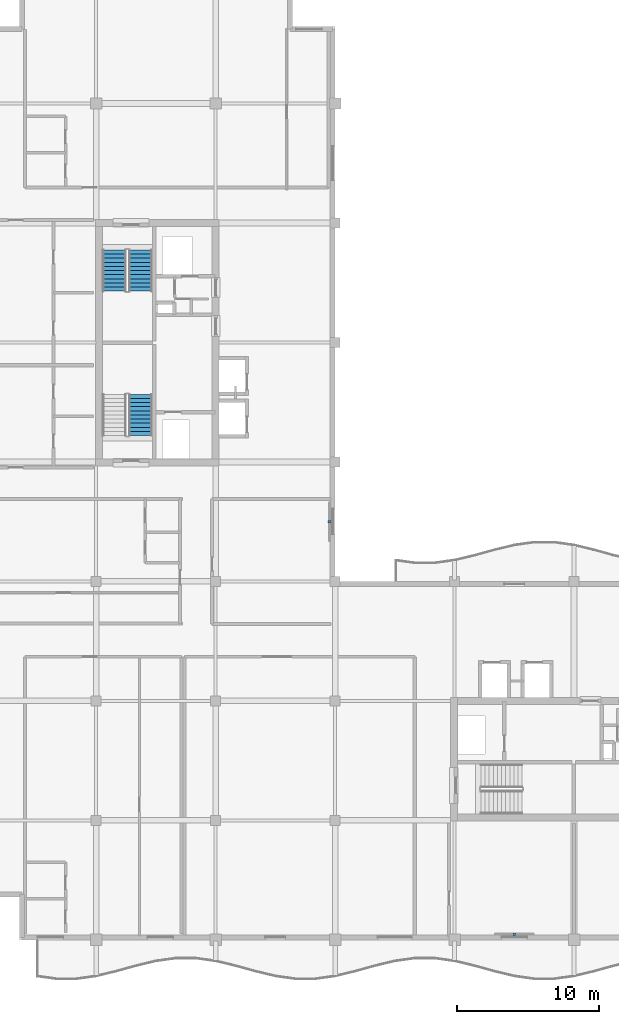
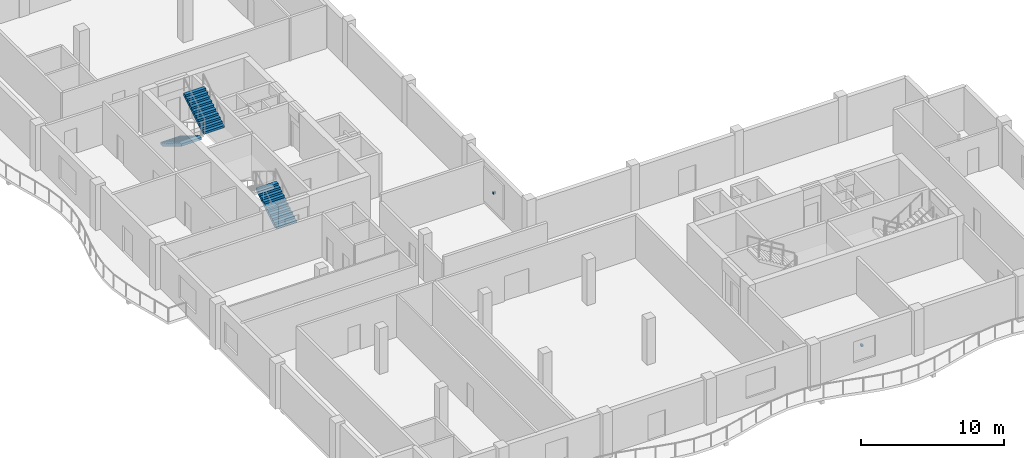
# One storey, part 8 of 11: 3 stair flights, 2 discrete accessories, 2 elements without a shape of their own.
"""IFC4 building model written with IfcOpenShell, lengths in metres."""

from ifc_helpers import new_model, si_unit, direction, frame, origin, origin_2d, place, context, subcontext, project, spatial, polyline, rectangle, outline, extrude, material, type_object, element, aggregate, save


model = new_model("IFC4")

# Units and contexts
model_context = context("Model", 3, precision=1e-05, world=origin(), true_north=direction((0.0, 1.0)))
body_context = subcontext(model_context, "Body", "Model", "MODEL_VIEW")
ifc_project = project(units=[si_unit("LENGTHUNIT", "METRE"), si_unit("AREAUNIT", "SQUARE_METRE"), si_unit("VOLUMEUNIT", "CUBIC_METRE"), si_unit("PLANEANGLEUNIT", "RADIAN"), si_unit("MASSUNIT", "GRAM", prefix="KILO")], contexts=[model_context])

# Site, building, storey
site_placement = place(None, origin())
site = spatial("IfcSite", under=ifc_project, at=site_placement, CompositionType="ELEMENT")
building_placement = place(site_placement, origin())
building = spatial("IfcBuilding", under=site, at=building_placement, Name="Koriwani Terraces Tower", CompositionType="ELEMENT")
storey_placement = place(building_placement, frame((0.0, 0.0, 335.89990234375)))
storey = spatial("IfcBuildingStorey", under=building, at=storey_placement, Name="L83", CompositionType="ELEMENT", Elevation=335.89990234375)

# Stair, stair flight
ifc_material_1 = material(Name="Concrete C40/50", Category="concrete")
stair_type = type_object("IfcStairType", Name="STAIR_CORE_DOGLEG_1650", PredefinedType="TWO_STRAIGHT_RUN_STAIR", material=ifc_material_1)
stair_1_placement = place(storey_placement, origin())
stair_1 = element("IfcStair", 1, at=stair_1_placement, inside=storey, type_object=stair_type, Name="L83 West Core Exit Stair 1", PredefinedType="HALF_TURN_STAIR")
stair_flight_type = type_object("IfcStairFlightType", Name="STAIR_FLIGHT_RC_1650", PredefinedType="STRAIGHT", material=ifc_material_1)
stair_flight_1_placement = place(storey_placement, frame((19.925048828125, 43.85009765625, 0.0), z_axis=(0.0, 0.0, 1.0), x_axis=(0.0, 1.0, 0.0)))
stair_flight_1 = element("IfcStairFlight", 2, at=stair_flight_1_placement, type_object=stair_flight_type, Name="ST-W1 flight 1", NumberOfRisers=11, NumberOfTreads=10, PredefinedType="STRAIGHT", RiserHeight=0.177272727, TreadLength=0.29, context=body_context, shape_type="SweptSolid", body=[
    extrude(outline(polyline([(0.0, 0.0), (0.0, 0.17724609375), (0.2900390625, 0.17724609375), (0.2900390625, 0.3544921875), (0.580078125, 0.3544921875), (0.580078125, 0.53173828125), (0.8701171875, 0.53173828125), (0.8701171875, 0.708984375), (1.159912109375, 0.708984375), (1.159912109375, 0.886474609375), (1.449951171875, 0.886474609375), (1.449951171875, 1.063720703125), (1.739990234375, 1.063720703125), (1.739990234375, 1.240966796875), (2.030029296875, 1.240966796875), (2.030029296875, 1.418212890625), (2.320068359375, 1.418212890625), (2.320068359375, 1.595458984375), (2.610107421875, 1.595458984375), (2.610107421875, 1.772705078125), (2.89990234375, 1.772705078125), (2.89990234375, 1.949951171875), (2.89990234375, 1.561767578125), (0.344970703125, 0.0), (0.0, 0.0)])), frame((0.0, 0.824951171875, 0.0), z_axis=(0.0, -1.0, 0.0), x_axis=(1.0, 0.0, 0.0)), (0.0, 0.0, 1.0), 1.64990234375),
])
aggregate(stair_1, [stair_flight_1])

# Stair, stair flights
stair_2_placement = place(storey_placement, origin())
stair_2 = element("IfcStair", 3, at=stair_2_placement, inside=storey, type_object=stair_type, Name="L83 West Core Exit Stair 2", PredefinedType="HALF_TURN_STAIR")
stair_flight_2_placement = place(storey_placement, frame((18.074951171875, 56.89990234375, 0.0), z_axis=(0.0, 0.0, 1.0), x_axis=(0.0, -1.0, 0.0)))
stair_flight_2 = element("IfcStairFlight", 4, at=stair_flight_2_placement, type_object=stair_flight_type, Name="ST-W2 flight 1", NumberOfRisers=11, NumberOfTreads=10, PredefinedType="STRAIGHT", RiserHeight=0.177272727, TreadLength=0.29, context=body_context, shape_type="SweptSolid", body=[
    extrude(outline(polyline([(0.0, 0.0), (0.0, 0.17724609375), (0.2900390625, 0.17724609375), (0.2900390625, 0.3544921875), (0.580078125, 0.3544921875), (0.580078125, 0.53173828125), (0.8701171875, 0.53173828125), (0.8701171875, 0.708984375), (1.159912109375, 0.708984375), (1.159912109375, 0.886474609375), (1.449951171875, 0.886474609375), (1.449951171875, 1.063720703125), (1.739990234375, 1.063720703125), (1.739990234375, 1.240966796875), (2.030029296875, 1.240966796875), (2.030029296875, 1.418212890625), (2.320068359375, 1.418212890625), (2.320068359375, 1.595458984375), (2.610107421875, 1.595458984375), (2.610107421875, 1.772705078125), (2.89990234375, 1.772705078125), (2.89990234375, 1.949951171875), (2.89990234375, 1.561767578125), (0.344970703125, 0.0), (0.0, 0.0)])), frame((0.0, 0.824951171875, 0.0), z_axis=(0.0, -1.0, 0.0), x_axis=(1.0, 0.0, 0.0)), (0.0, 0.0, 1.0), 1.64990234375),
])
stair_flight_3_placement = place(storey_placement, frame((19.925048828125, 54.0, 1.9501953125), z_axis=(0.0, 0.0, 1.0), x_axis=(0.0, 1.0, 0.0)))
stair_flight_3 = element("IfcStairFlight", 5, at=stair_flight_3_placement, type_object=stair_flight_type, Name="ST-W2 flight 2", NumberOfRisers=11, NumberOfTreads=10, PredefinedType="STRAIGHT", RiserHeight=0.177272727, TreadLength=0.29, context=body_context, shape_type="SweptSolid", body=[
    extrude(outline(polyline([(0.0, 0.0), (0.0, 0.17724609375), (0.2900390625, 0.17724609375), (0.2900390625, 0.3544921875), (0.580078125, 0.3544921875), (0.580078125, 0.53173828125), (0.8701171875, 0.53173828125), (0.8701171875, 0.708984375), (1.159912109375, 0.708984375), (1.159912109375, 0.886474609375), (1.449951171875, 0.886474609375), (1.449951171875, 1.063720703125), (1.739990234375, 1.063720703125), (1.739990234375, 1.240966796875), (2.030029296875, 1.240966796875), (2.030029296875, 1.418212890625), (2.320068359375, 1.418212890625), (2.320068359375, 1.595458984375), (2.610107421875, 1.595458984375), (2.610107421875, 1.772705078125), (2.89990234375, 1.772705078125), (2.89990234375, 1.949951171875), (2.89990234375, 1.561767578125), (0.344970703125, 0.0), (0.0, 0.0)])), frame((0.0, 0.824951171875, 0.0), z_axis=(0.0, -1.0, 0.0), x_axis=(1.0, 0.0, 0.0)), (0.0, 0.0, 1.0), 1.64990234375),
])
aggregate(stair_2, [stair_flight_2, stair_flight_3])

# Discrete accessories
ifc_material_2 = material(Name="Steel ASTM A572 Grade 50", Category="steel")
discrete_accessory_type = type_object("IfcDiscreteAccessoryType", Name="BAGUETTE_STANDOFF_BRACKET", PredefinedType="BRACKET", material=ifc_material_2)
for number, where, z_axis, x_axis, name in (
    (6, (33.2099609375, 37.800048828125, 1.7451171875), (0.0, 0.0, 1.0), (0.0, -1.0, 0.0), "L83 Terracotta Baguette Bracket (NW_IN-2)"),
    (7, (46.199951171875, 8.7900390625, 1.7451171875), (0.0, 0.0, 1.0), (-1.0, 0.0, 0.0), "L83 Terracotta Baguette Bracket (S-12)"),
):
    element("IfcDiscreteAccessory", number, at=place(storey_placement, frame(where, z_axis=z_axis, x_axis=x_axis)), inside=storey, type_object=discrete_accessory_type, Name=name, PredefinedType="BRACKET", context=body_context, shape_type="SweptSolid", body=[
        extrude(rectangle(XDim=0.159912109375, YDim=0.199951171875, at=origin_2d()), origin(), (0.0, 0.0, 1.0), 0.179931640625),
    ])

save(model, "model.ifc")
